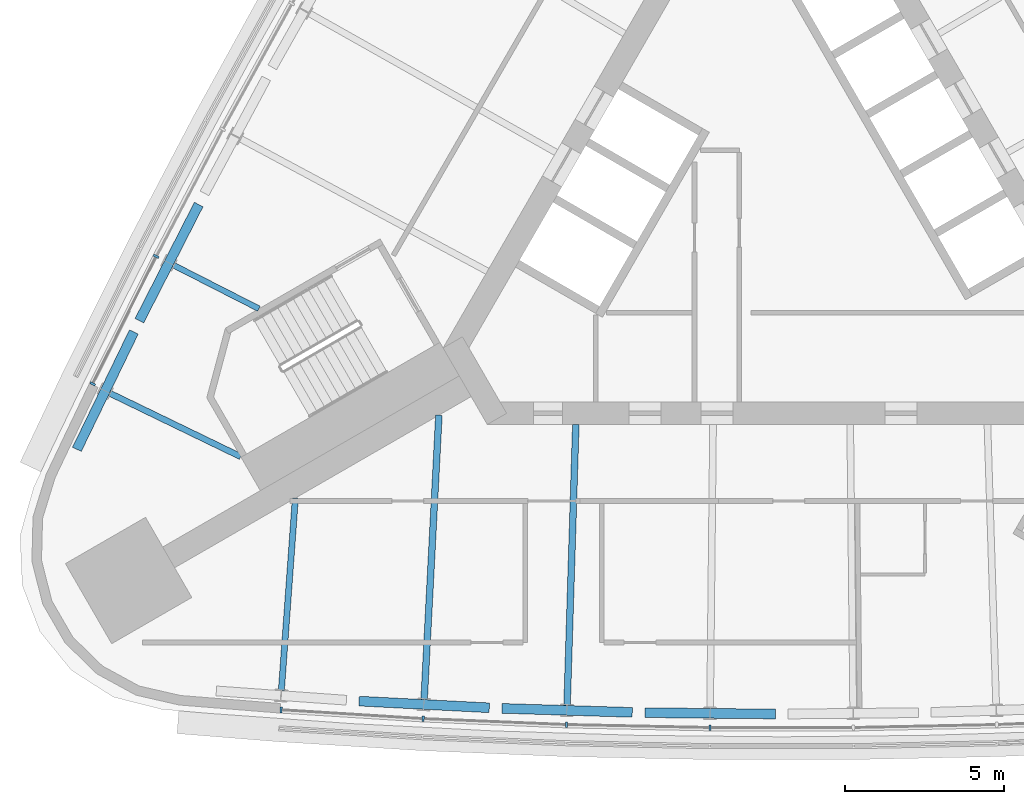
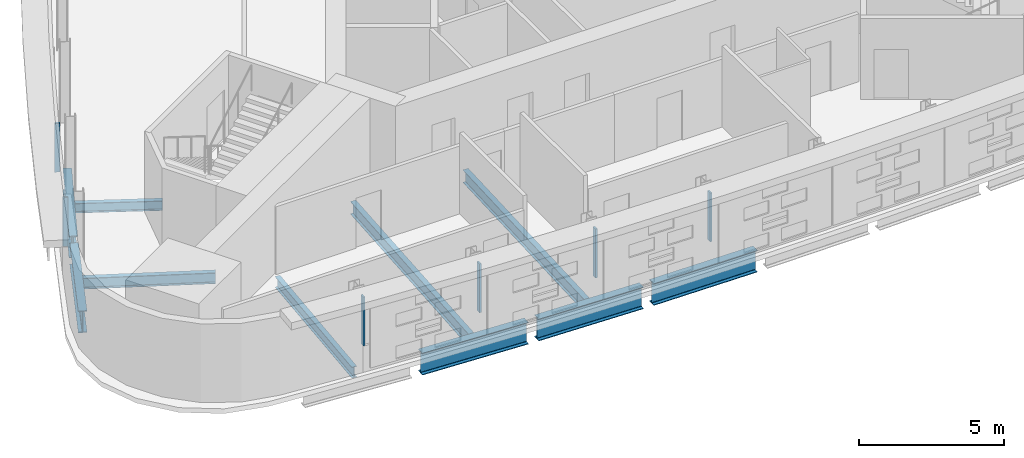
# One storey, part 2 of 12: 10 beams, 6 members, 2 elements without a shape of their own.
"""IFC4 building model written with IfcOpenShell, lengths in metres."""

import ifcopenshell
import ifcopenshell.guid

model = None  # the IFC model being written
_history = None  # IfcOwnerHistory: only IFC2X3 demands one
_inside = {}  # id of a spatial element -> (the spatial element, [elements in it])
_under = {}  # id of a project, library or spatial element -> (it, [spatial elements below it])
_declared = {}  # id of a project -> (the project, [libraries it declares])
_typed = {}  # id of a type object -> (the type object, [elements of that type])
_made_of = {}  # id of a material, layer set ... -> (it, [elements and type objects made of it])


def new_model(schema):
    """Start an empty IFC model of exactly this schema.

    Asked for "IFC4X3", IfcOpenShell would pick the latest addendum, in which some entities
    have other attributes; the version numbers below select the first issue.
    IFC2X3 requires an IfcOwnerHistory on every rooted entity: one is made here for all.
    """
    global model, _history
    if schema == "IFC4X3":
        model = ifcopenshell.file(schema_version=(4, 3, 0, 0))
    else:
        model = ifcopenshell.file(schema=schema)
    _inside.clear()
    _under.clear()
    _declared.clear()
    _typed.clear()
    _made_of.clear()
    _history = None
    if model.schema == "IFC2X3":
        org = make("IfcOrganization", Name="unknown")
        user = make(
            "IfcPersonAndOrganization",
            ThePerson=make("IfcPerson", FamilyName="unknown"),
            TheOrganization=org,
        )
        app = make(
            "IfcApplication",
            ApplicationDeveloper=org,
            Version="unknown",
            ApplicationFullName="unknown",
            ApplicationIdentifier="unknown",
        )
        _history = make(
            "IfcOwnerHistory",
            OwningUser=user,
            OwningApplication=app,
            ChangeAction="ADDED",
            CreationDate=0,
        )
    return model


def make(cls, **values):
    """One entity of the class cls with the attributes given. An attribute that is None is left unset."""
    return model.create_entity(
        cls, **{name: value for name, value in values.items() if value is not None}
    )


def rooted(cls, **values):
    """An entity with a GlobalId (a new one), such as an element, a storey or a relation."""
    return make(cls, GlobalId=ifcopenshell.guid.new(), OwnerHistory=_history, **values)


def si_unit(unit_type, name, prefix=None):
    """IfcSIUnit, for example si_unit("LENGTHUNIT", "METRE", prefix="MILLI")."""
    return make("IfcSIUnit", UnitType=unit_type, Prefix=prefix, Name=name)


def assignment(units):
    """IfcUnitAssignment: the units of a project."""
    return None if units is None else make("IfcUnitAssignment", Units=units)


def point(xyz):
    """IfcCartesianPoint."""
    return None if xyz is None else make("IfcCartesianPoint", Coordinates=xyz)


def direction(xyz):
    """IfcDirection."""
    return None if xyz is None else make("IfcDirection", DirectionRatios=xyz)


def frame(location, z_axis=None, x_axis=None):
    """IfcAxis2Placement3D, a coordinate frame: its origin and axes. An axis left out is left unset."""
    return make(
        "IfcAxis2Placement3D",
        Location=point(location),
        Axis=direction(z_axis),
        RefDirection=direction(x_axis),
    )


def frame_2d(location, x_axis=None):
    """IfcAxis2Placement2D, a coordinate frame in the plane: its origin and x axis."""
    return make(
        "IfcAxis2Placement2D", Location=point(location), RefDirection=direction(x_axis)
    )


def origin():
    """The frame at (0, 0, 0) with its axes left unset."""
    return frame((0.0, 0.0, 0.0))


def origin_2d():
    """The frame at (0, 0) in the plane with its x axis left unset."""
    return frame_2d((0.0, 0.0))


def place(relative_to, where):
    """IfcLocalPlacement: puts the frame where relative to a parent placement (None: the world)."""
    return make(
        "IfcLocalPlacement", PlacementRelTo=relative_to, RelativePlacement=where
    )


def context(
    kind, dimensions, precision=None, world=None, true_north=None, identifier=None
):
    """IfcGeometricRepresentationContext, for example the 3D "Model" context."""
    return make(
        "IfcGeometricRepresentationContext",
        ContextIdentifier=identifier,
        ContextType=kind,
        CoordinateSpaceDimension=dimensions,
        Precision=precision,
        WorldCoordinateSystem=world,
        TrueNorth=true_north,
    )


def subcontext(parent, identifier, kind, view, scale=None):
    """IfcGeometricRepresentationSubContext, for example "Body" below "Model"."""
    return make(
        "IfcGeometricRepresentationSubContext",
        ContextIdentifier=identifier,
        ContextType=kind,
        ParentContext=parent,
        TargetScale=scale,
        TargetView=view,
    )


def project(units=None, contexts=None):
    """IfcProject with its units and contexts."""
    return rooted(
        "IfcProject",
        Name="project",
        RepresentationContexts=contexts,
        UnitsInContext=assignment(units),
    )


def spatial(cls, under=None, at=None, **own):
    """A site, building, storey or space (cls), placed at a placement, below another one or the project."""
    s = rooted(cls, ObjectPlacement=at, **own)
    if under is not None:
        _under.setdefault(under.id(), (under, []))[1].append(s)
    return s


def profile(cls, at=None, kind="AREA", **sizes):
    """A parametric profile (cls). Its sizes go by their IFC names, for example OverallWidth=200.0."""
    return make(cls, ProfileType=kind, Position=at, **sizes)


def rectangle(**sizes):
    """IfcRectangleProfileDef."""
    return profile("IfcRectangleProfileDef", **sizes)


def i_section(**sizes):
    """IfcIShapeProfileDef."""
    return profile("IfcIShapeProfileDef", **sizes)


def extrude(swept, where, along, depth):
    """IfcExtrudedAreaSolid: the profile swept, set in the frame where, extruded along a direction by depth."""
    return make(
        "IfcExtrudedAreaSolid",
        SweptArea=swept,
        Position=where,
        ExtrudedDirection=direction(along),
        Depth=depth,
    )


def shape(context_of_items, identifier, shape_type, items):
    """IfcShapeRepresentation: the items that make up one representation, for example the "Body"."""
    return make(
        "IfcShapeRepresentation",
        ContextOfItems=context_of_items,
        RepresentationIdentifier=identifier,
        RepresentationType=shape_type,
        Items=items,
    )


def material(Name=None, Category=None):
    """IfcMaterial."""
    return make("IfcMaterial", Name=Name, Category=Category)


def material_profile(
    of_material, cross_section, Name=None, Category=None, Priority=None
):
    """IfcMaterialProfile: a cross section and its material."""
    return make(
        "IfcMaterialProfile",
        Name=Name,
        Material=of_material,
        Profile=cross_section,
        Priority=Priority,
        Category=Category,
    )


def profile_set(profiles, Name=None, composite=None):
    """IfcMaterialProfileSet."""
    return make(
        "IfcMaterialProfileSet",
        Name=Name,
        MaterialProfiles=profiles,
        CompositeProfile=composite,
    )


def made_of(thing, what):
    """Note that an element or type object is made of a material, layer set ...; save() writes the relation."""
    if what is not None:
        _made_of.setdefault(what.id(), (what, []))[1].append(thing)
    return thing


def type_object(cls, material=None, **own):
    """A type object (cls), such as IfcWallType, which elements share."""
    return made_of(rooted(cls, **own), material)


def element(
    cls,
    number,
    at=None,
    inside=None,
    cuts=None,
    type_object=None,
    material=None,
    context=None,
    identifier="Body",
    shape_type=None,
    held_by="IfcProductDefinitionShape",
    body=None,
    shapes=None,
    **own,
):
    """One element of the class cls, such as IfcWall. Its Tag is "e" and its number.

    at: its placement. inside: the storey or other place that contains it. cuts: it is an
    opening in that element (IfcRelVoidsElement). A single representation is given by context,
    identifier, shape_type and body (its items); several are given by shapes. held_by: the class
    of the entity that holds the representations. save() writes the other relations.
    """
    e = rooted(cls, Tag="e%d" % number, ObjectPlacement=at, **own)
    if body is not None:
        shapes = [shape(context, identifier, shape_type, body)]
    if shapes is not None:
        e.Representation = make(held_by, Representations=shapes)
    if inside is not None:
        _inside.setdefault(inside.id(), (inside, []))[1].append(e)
    if cuts is not None:
        rooted(
            "IfcRelVoidsElement", RelatingBuildingElement=cuts, RelatedOpeningElement=e
        )
    if type_object is not None:
        _typed.setdefault(type_object.id(), (type_object, []))[1].append(e)
    return made_of(e, material)


def aggregate(whole, parts):
    """IfcRelAggregates: a whole, such as a stair, and the parts it consists of."""
    return rooted("IfcRelAggregates", RelatingObject=whole, RelatedObjects=parts)


def save(model, path):
    """Write the relations noted so far, then the file.

    IfcRelAggregates (storeys below a building ...), IfcRelContainedInSpatialStructure (elements
    in a storey), IfcRelDefinesByType, IfcRelAssociatesMaterial and IfcRelDeclares: one each for
    every whole, place, type object, material and project.
    """
    for whole, parts in _under.values():
        aggregate(whole, parts)
    for where, things in _inside.values():
        rooted(
            "IfcRelContainedInSpatialStructure",
            RelatedElements=things,
            RelatingStructure=where,
        )
    for kind, things in _typed.values():
        rooted("IfcRelDefinesByType", RelatedObjects=things, RelatingType=kind)
    for what, things in _made_of.values():
        rooted("IfcRelAssociatesMaterial", RelatedObjects=things, RelatingMaterial=what)
    for by, libraries in _declared.values():
        rooted("IfcRelDeclares", RelatingContext=by, RelatedDefinitions=libraries)
    model.write(path)


model = new_model("IFC4")

# Units and contexts
model_context = context("Model", 3, precision=1e-05, world=origin(), true_north=direction((0.0, 1.0)))
body_context = subcontext(model_context, "Body", "Model", "MODEL_VIEW")
ifc_project = project(units=[si_unit("LENGTHUNIT", "METRE"), si_unit("AREAUNIT", "SQUARE_METRE"), si_unit("VOLUMEUNIT", "CUBIC_METRE"), si_unit("PLANEANGLEUNIT", "RADIAN"), si_unit("MASSUNIT", "GRAM", prefix="KILO")], contexts=[model_context])

# Site, building, storey
site_placement = place(None, origin())
site = spatial("IfcSite", under=ifc_project, at=site_placement, CompositionType="ELEMENT")
building_placement = place(site_placement, origin())
building = spatial("IfcBuilding", under=site, at=building_placement, Name="Noor Cloister Tower", CompositionType="ELEMENT")
storey_placement = place(building_placement, frame((0.0, 0.0, 150.89990234375)))
storey = spatial("IfcBuildingStorey", under=building, at=storey_placement, Name="L38", CompositionType="ELEMENT", Elevation=150.89990234375)

# Curtain wall, members
ifc_material_1 = material(Name="Aluminium 6063-T6 anodised", Category="aluminium")
curtain_wall_type = type_object("IfcCurtainWallType", Name="Ribbon curtain wall, upper tower CW5", PredefinedType="NOTDEFINED", material=ifc_material_1)
curtain_wall_1_placement = place(storey_placement, origin())
curtain_wall_1 = element("IfcCurtainWall", 1, at=curtain_wall_1_placement, inside=storey, type_object=curtain_wall_type, Name="CW5 L38 NW run 1", PredefinedType="NOTDEFINED")
ifc_material_2 = material(Name="Aluminium 6063-T6 anodised", Category="aluminium")
ifc_material_profile_1 = material_profile(ifc_material_2, rectangle(XDim=0.179931640625, YDim=0.070068359375, at=origin_2d()), Name="180 x 70 mullion")
ifc_profile_set_1 = profile_set([ifc_material_profile_1], Name="Aluminium 6063-T6 anodised")
member_type = type_object("IfcMemberType", Name="Mullion CW5 70 x 180", PredefinedType="MULLION", material=ifc_profile_set_1)
member_1_placement = place(storey_placement, frame((-19.611328125, -1.656005859375, 1.10009765625), z_axis=(0.0, 0.0, 1.0), x_axis=(0.890762109729, -0.454469871246, 0.0)))
member_1 = element("IfcMember", 2, at=member_1_placement, type_object=member_type, Name="CW5 mullion 7", PredefinedType="MULLION", context=body_context, shape_type="SweptSolid", body=[
    extrude(rectangle(XDim=0.179931640625, YDim=0.070068359375, at=origin_2d()), origin(), (0.0, 0.0, 1.0), 2.050048828125),
])
member_2_placement = place(storey_placement, frame((-21.5986328125, -5.653076171875, 1.10009765625), z_axis=(0.0, 0.0, 1.0), x_axis=(0.895424471705, -0.445213449338, 0.0)))
member_2 = element("IfcMember", 3, at=member_2_placement, type_object=member_type, Name="CW5 mullion 8", PredefinedType="MULLION", context=body_context, shape_type="SweptSolid", body=[
    extrude(rectangle(XDim=0.179931640625, YDim=0.070068359375, at=origin_2d()), origin(), (0.0, 0.0, 1.0), 2.050048828125),
])
aggregate(curtain_wall_1, [member_1, member_2])

curtain_wall_2_placement = place(storey_placement, origin())
curtain_wall_2 = element("IfcCurtainWall", 4, at=curtain_wall_2_placement, inside=storey, type_object=curtain_wall_type, Name="CW5 L38 S run 2", PredefinedType="NOTDEFINED")
member_3_placement = place(storey_placement, frame((-15.695068359375, -15.87841796875, 1.10009765625), z_axis=(0.0, 0.0, 1.0), x_axis=(0.06214607862, 0.998067064336, 0.0)))
member_3 = element("IfcMember", 5, at=member_3_placement, type_object=member_type, Name="CW5 mullion 1", PredefinedType="MULLION", context=body_context, shape_type="SweptSolid", body=[
    extrude(rectangle(XDim=0.179931640625, YDim=0.070068359375, at=origin_2d()), origin(), (0.0, 0.0, 1.0), 2.050048828125),
])
member_4_placement = place(storey_placement, frame((-11.23974609375, -16.15576171875, 1.10009765625), z_axis=(0.0, 0.0, 1.0), x_axis=(0.051798601111, 0.998657551377, 0.0)))
member_4 = element("IfcMember", 6, at=member_4_placement, type_object=member_type, Name="CW5 mullion 2", PredefinedType="MULLION", context=body_context, shape_type="SweptSolid", body=[
    extrude(rectangle(XDim=0.179931640625, YDim=0.070068359375, at=origin_2d()), origin(), (0.0, 0.0, 1.0), 2.050048828125),
])
member_5_placement = place(storey_placement, frame((-6.745849609375, -16.34228515625, 1.10009765625), z_axis=(0.0, 0.0, 1.0), x_axis=(0.031088065749, 0.99951664927, 0.0)))
member_5 = element("IfcMember", 7, at=member_5_placement, type_object=member_type, Name="CW5 mullion 3", PredefinedType="MULLION", context=body_context, shape_type="SweptSolid", body=[
    extrude(rectangle(XDim=0.179931640625, YDim=0.070068359375, at=origin_2d()), origin(), (0.0, 0.0, 1.0), 2.050048828125),
])
member_6_placement = place(storey_placement, frame((-2.2490234375, -16.435546875, 1.10009765625), z_axis=(0.0, 0.0, 1.0), x_axis=(0.010364172955, 0.999946290517, 0.0)))
member_6 = element("IfcMember", 8, at=member_6_placement, type_object=member_type, Name="CW5 mullion 4", PredefinedType="MULLION", context=body_context, shape_type="SweptSolid", body=[
    extrude(rectangle(XDim=0.179931640625, YDim=0.070068359375, at=origin_2d()), origin(), (0.0, 0.0, 1.0), 2.050048828125),
])
aggregate(curtain_wall_2, [member_3, member_4, member_5, member_6])

# Beams
ifc_material_3 = material(Name="Steel ASTM A992 Gr 50", Category="steel")
ifc_material_profile_2 = material_profile(ifc_material_3, i_section(OverallWidth=0.177978515625, OverallDepth=0.406005859375, WebThickness=0.0078125, FlangeThickness=0.0126953125, FilletRadius=0.01025390625, at=origin_2d()), Name="W410x60")
ifc_profile_set_2 = profile_set([ifc_material_profile_2], Name="Steel ASTM A992 Gr 50")
beam_type_1 = type_object("IfcBeamType", Name="Radial beam W410x60", PredefinedType="BEAM", material=ifc_profile_set_2)
beam_1_placement = place(storey_placement, frame((-19.07470703125, -1.929931640625, -0.40283203125), z_axis=(0.890787948986, -0.454419222681, 0.0), x_axis=(0.454419222681, 0.890787948986, 0.0)))
element("IfcBeam", 9, at=beam_1_placement, inside=storey, type_object=beam_type_1, Name="Radial beam NW 07 L38", PredefinedType="BEAM", context=body_context, shape_type="SweptSolid", body=[
    extrude(i_section(OverallWidth=0.177978515625, OverallDepth=0.406005859375, WebThickness=0.0078125, FlangeThickness=0.0126953125, FilletRadius=0.01025390625, at=origin_2d()), origin(), (0.0, 0.0, 1.0), 3.01611328125),
])
ifc_material_4 = material(Name="Steel ASTM A992 Gr 50", Category="steel")
ifc_material_profile_3 = material_profile(ifc_material_4, i_section(OverallWidth=0.19091796875, OverallDepth=0.45703125, WebThickness=0.009033203125, FlangeThickness=0.014404296875, FilletRadius=0.01025390625, at=origin_2d()), Name="W460x74")
ifc_profile_set_3 = profile_set([ifc_material_profile_3], Name="Steel ASTM A992 Gr 50")
beam_type_2 = type_object("IfcBeamType", Name="Radial beam W460x74", PredefinedType="BEAM", material=ifc_profile_set_3)
beam_2_placement = place(storey_placement, frame((-21.071533203125, -5.946044921875, -0.428466796875), z_axis=(0.899978048076, -0.435935216495, 0.0), x_axis=(0.435935216495, 0.899978048076, 0.0)))
element("IfcBeam", 10, at=beam_2_placement, inside=storey, type_object=beam_type_2, Name="Radial beam NW 08 L38", PredefinedType="BEAM", context=body_context, shape_type="SweptSolid", body=[
    extrude(i_section(OverallWidth=0.19091796875, OverallDepth=0.45703125, WebThickness=0.009033203125, FlangeThickness=0.014404296875, FilletRadius=0.01025390625, at=origin_2d()), origin(), (0.0, 0.0, 1.0), 4.56884765625),
])
beam_3_placement = place(storey_placement, frame((-15.685302734375, -15.275390625, -0.428466796875), z_axis=(0.072484656854, 0.997369527568, 0.0), x_axis=(-0.997369527568, 0.072484656854, 0.0)))
element("IfcBeam", 11, at=beam_3_placement, inside=storey, type_object=beam_type_2, Name="Radial beam S 01 L38", PredefinedType="BEAM", context=body_context, shape_type="SweptSolid", body=[
    extrude(i_section(OverallWidth=0.19091796875, OverallDepth=0.45703125, WebThickness=0.009033203125, FlangeThickness=0.014404296875, FilletRadius=0.01025390625, at=origin_2d()), origin(), (0.0, 0.0, 1.0), 6.055908203125),
])
ifc_material_5 = material(Name="Steel ASTM A992 Gr 50", Category="steel")
ifc_material_profile_4 = material_profile(ifc_material_5, i_section(OverallWidth=0.208984375, OverallDepth=0.532958984375, WebThickness=0.01025390625, FlangeThickness=0.015625, FilletRadius=0.0126953125, at=origin_2d()), Name="W530x92")
ifc_profile_set_4 = profile_set([ifc_material_profile_4], Name="Steel ASTM A992 Gr 50")
beam_type_3 = type_object("IfcBeamType", Name="Radial beam W530x92", PredefinedType="BEAM", material=ifc_profile_set_4)
beam_4_placement = place(storey_placement, frame((-11.20849609375, -15.55419921875, -0.46630859375), z_axis=(0.051786731143, 0.998658166981, 0.0), x_axis=(-0.998658166981, 0.051786731143, 0.0)))
element("IfcBeam", 12, at=beam_4_placement, inside=storey, type_object=beam_type_3, Name="Radial beam S 02 L38", PredefinedType="BEAM", context=body_context, shape_type="SweptSolid", body=[
    extrude(i_section(OverallWidth=0.208984375, OverallDepth=0.532958984375, WebThickness=0.01025390625, FlangeThickness=0.015625, FilletRadius=0.0126953125, at=origin_2d()), origin(), (0.0, 0.0, 1.0), 8.928955078125),
])
beam_5_placement = place(storey_placement, frame((-6.72705078125, -15.739990234375, -0.46630859375), z_axis=(0.031099016833, 0.999516308597, 0.0), x_axis=(-0.999516308597, 0.031099016833, 0.0)))
element("IfcBeam", 13, at=beam_5_placement, inside=storey, type_object=beam_type_3, Name="Radial beam S 03 L38", PredefinedType="BEAM", context=body_context, shape_type="SweptSolid", body=[
    extrude(i_section(OverallWidth=0.208984375, OverallDepth=0.532958984375, WebThickness=0.01025390625, FlangeThickness=0.015625, FilletRadius=0.0126953125, at=origin_2d()), origin(), (0.0, 0.0, 1.0), 8.81591796875),
])
ifc_material_6 = material(Name="Steel ASTM A992 Gr 50", Category="steel")
ifc_material_profile_5 = material_profile(ifc_material_6, i_section(OverallWidth=0.304931640625, OverallDepth=0.9189453125, WebThickness=0.017333984375, FlangeThickness=0.02783203125, FilletRadius=0.01904296875, at=origin_2d()), Name="W920x253")
ifc_profile_set_5 = profile_set([ifc_material_profile_5], Name="Steel ASTM A992 Gr 50")
beam_type_4 = type_object("IfcBeamType", Name="Transfer girder W920x253", PredefinedType="BEAM", material=ifc_profile_set_5)
for number, where, z_axis, x_axis, name in (
    (14, (-18.276123046875, -0.03173828125, -0.659423828125), (-0.454957484101, -0.890513159735, 0.0), (0.890513159735, -0.454957484101, 0.0), "Transfer girder NW 07 L38"),
    (15, (-20.310546875, -4.029052734375, -0.659423828125), (-0.436627929687, -0.899642179434, 0.0), (0.899642179434, -0.436627929687, 0.0), "Transfer girder NW 08 L38"),
):
    element("IfcBeam", number, at=place(storey_placement, frame(where, z_axis=z_axis, x_axis=x_axis)), inside=storey, type_object=beam_type_4, Name=name, PredefinedType="BEAM", context=body_context, shape_type="SweptSolid", body=[
        extrude(i_section(OverallWidth=0.304931640625, OverallDepth=0.9189453125, WebThickness=0.017333984375, FlangeThickness=0.02783203125, FilletRadius=0.01904296875, at=origin_2d()), origin(), (0.0, 0.0, 1.0), 4.089599609375),
    ])
beam_6_placement = place(storey_placement, frame((-13.25, -15.60205078125, -0.659423828125), z_axis=(0.998684451727, -0.05127734274, 0.0), x_axis=(0.05127734274, 0.998684451727, 0.0)))
element("IfcBeam", 16, at=beam_6_placement, inside=storey, type_object=beam_type_4, Name="Transfer girder S 02 L38", PredefinedType="BEAM", context=body_context, shape_type="SweptSolid", body=[
    extrude(i_section(OverallWidth=0.304931640625, OverallDepth=0.9189453125, WebThickness=0.017333984375, FlangeThickness=0.02783203125, FilletRadius=0.01904296875, at=origin_2d()), origin(), (0.0, 0.0, 1.0), 4.08984375),
])
beam_7_placement = place(storey_placement, frame((-8.7705078125, -15.829833984375, -0.659423828125), z_axis=(0.999527273586, -0.030744582566, 0.0), x_axis=(0.030744582566, 0.999527273586, 0.0)))
element("IfcBeam", 17, at=beam_7_placement, inside=storey, type_object=beam_type_4, Name="Transfer girder S 03 L38", PredefinedType="BEAM", context=body_context, shape_type="SweptSolid", body=[
    extrude(i_section(OverallWidth=0.304931640625, OverallDepth=0.9189453125, WebThickness=0.017333984375, FlangeThickness=0.02783203125, FilletRadius=0.01904296875, at=origin_2d()), origin(), (0.0, 0.0, 1.0), 4.089599609375),
])
beam_8_placement = place(storey_placement, frame((-4.287353515625, -15.964599609375, -0.659423828125), z_axis=(0.999947287807, -0.010267502448, 0.0), x_axis=(0.010267502448, 0.999947287807, 0.0)))
element("IfcBeam", 18, at=beam_8_placement, inside=storey, type_object=beam_type_4, Name="Transfer girder S 04 L38", PredefinedType="BEAM", context=body_context, shape_type="SweptSolid", body=[
    extrude(i_section(OverallWidth=0.304931640625, OverallDepth=0.9189453125, WebThickness=0.017333984375, FlangeThickness=0.02783203125, FilletRadius=0.01904296875, at=origin_2d()), origin(), (0.0, 0.0, 1.0), 4.08984375),
])

save(model, "model.ifc")
